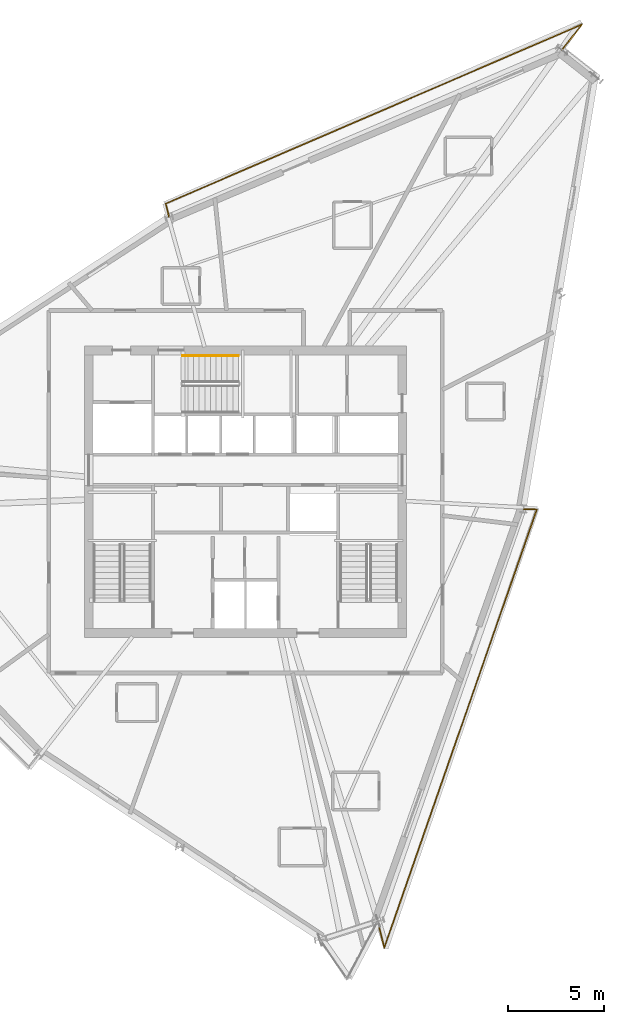
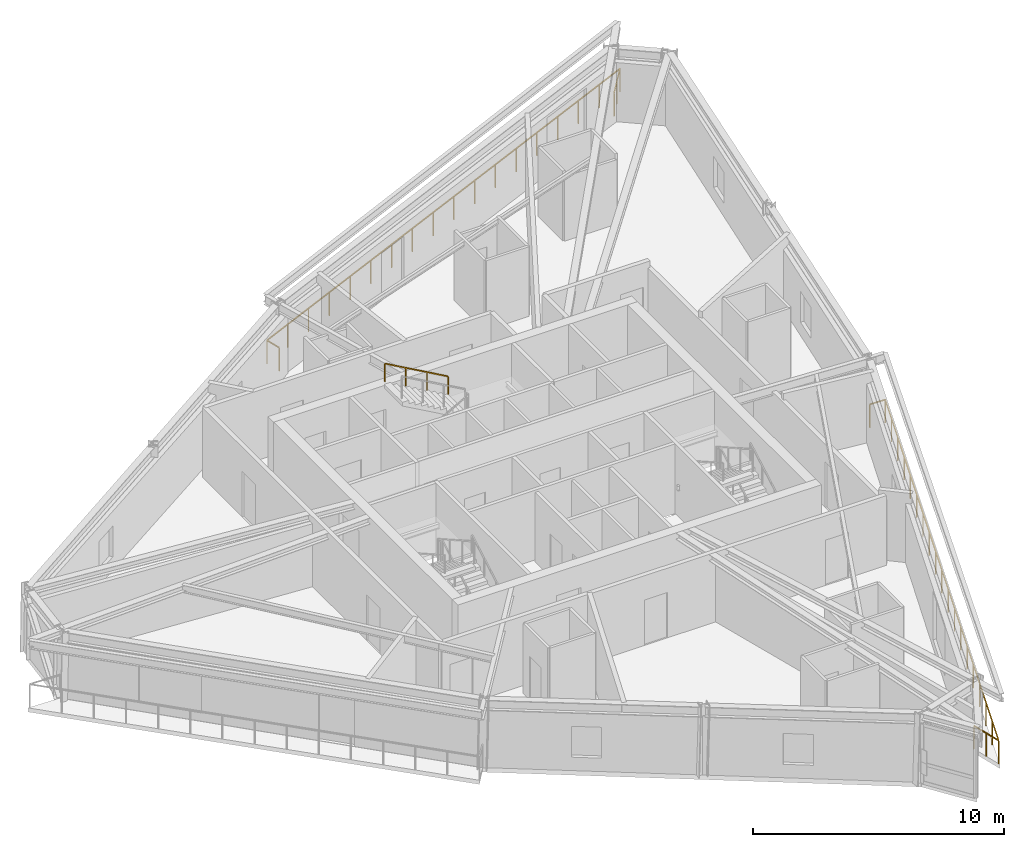
# One storey, part 13 of 13: 3 railings.
"""IFC4 building model written with IfcOpenShell, lengths in metres."""

from ifc_helpers import new_model, si_unit, direction, frame, origin, origin_2d, place, context, subcontext, project, spatial, rectangle, extrude, material, type_object, element, save


model = new_model("IFC4")

# Units and contexts
model_context = context("Model", 3, precision=1e-05, world=origin(), true_north=direction((0.0, 1.0)))
body_context = subcontext(model_context, "Body", "Model", "MODEL_VIEW")
ifc_project = project(units=[si_unit("LENGTHUNIT", "METRE"), si_unit("AREAUNIT", "SQUARE_METRE"), si_unit("VOLUMEUNIT", "CUBIC_METRE"), si_unit("PLANEANGLEUNIT", "RADIAN"), si_unit("MASSUNIT", "GRAM", prefix="KILO")], contexts=[model_context])

# Site, building, storey
site_placement = place(None, origin())
site = spatial("IfcSite", under=ifc_project, at=site_placement, CompositionType="ELEMENT")
building_placement = place(site_placement, origin())
building = spatial("IfcBuilding", under=site, at=building_placement, Name="Olszyna Solenne Hotel", CompositionType="ELEMENT")
storey_placement = place(building_placement, frame((0.0, 0.0, 248.89990234375)))
storey = spatial("IfcBuildingStorey", under=building, at=storey_placement, Name="L66", CompositionType="ELEMENT", Elevation=248.89990234375)

# Railings
ifc_material_1 = material(Name="Anodised bronze aluminium", Category="aluminium")
railing_type_1 = type_object("IfcRailingType", Name="GR-110", PredefinedType="BALUSTRADE", material=ifc_material_1)
railing_1_placement = place(storey_placement, frame((54.3994140625, 49.492919921875, 0.0)))
element("IfcRailing", 1, at=railing_1_placement, inside=storey, type_object=railing_type_1, Name="Loggia balcony balustrade guard GR-L66-LG1", PredefinedType="BALUSTRADE", context=body_context, shape_type="SweptSolid", body=[
    extrude(rectangle(XDim=0.048095703125, YDim=0.048095703125, at=origin_2d()), frame((0.0, 0.0, 1.1259765625), z_axis=(0.616016405299, 0.787733323151, 0.0), x_axis=(-0.787733323151, 0.616016405299, 0.0)), (0.0, 0.0, 1.0), 1.69189453125),
    extrude(rectangle(XDim=0.048095703125, YDim=0.048095703125, at=origin_2d()), frame((1.042236328125, 1.332763671875, 1.1259765625), z_axis=(-0.91843986169, -0.395560640685, 0.0), x_axis=(0.395560640685, -0.91843986169, 0.0)), (0.0, 0.0, 1.0), 23.489990234375),
    extrude(rectangle(XDim=0.048095703125, YDim=0.048095703125, at=origin_2d()), frame((-20.531982421875, -7.958984375, 1.1259765625), z_axis=(0.237185993525, -0.971464257951, 0.0), x_axis=(0.971464257951, 0.237185993525, 0.0)), (0.0, 0.0, 1.0), 0.709228515625),
    extrude(rectangle(XDim=0.0419921875, YDim=0.0419921875, at=origin_2d()), origin(), (0.0, 0.0, 1.0), 1.101806640625),
    extrude(rectangle(XDim=0.0419921875, YDim=0.0419921875, at=origin_2d()), frame((0.52099609375, 0.66650390625, 0.0)), (0.0, 0.0, 1.0), 1.101806640625),
    extrude(rectangle(XDim=0.0419921875, YDim=0.0419921875, at=origin_2d()), frame((1.042236328125, 1.332763671875, 0.0)), (0.0, 0.0, 1.0), 1.101806640625),
    extrude(rectangle(XDim=0.0419921875, YDim=0.0419921875, at=origin_2d()), frame((-0.226806640625, 0.7861328125, 0.0)), (0.0, 0.0, 1.0), 1.101806640625),
    extrude(rectangle(XDim=0.0419921875, YDim=0.0419921875, at=origin_2d()), frame((-1.495849609375, 0.239501953125, 0.0)), (0.0, 0.0, 1.0), 1.101806640625),
    extrude(rectangle(XDim=0.0419921875, YDim=0.0419921875, at=origin_2d()), frame((-2.764892578125, -0.306884765625, 0.0)), (0.0, 0.0, 1.0), 1.101806640625),
    extrude(rectangle(XDim=0.0419921875, YDim=0.0419921875, at=origin_2d()), frame((-4.033935546875, -0.853515625, 0.0)), (0.0, 0.0, 1.0), 1.101806640625),
    extrude(rectangle(XDim=0.0419921875, YDim=0.0419921875, at=origin_2d()), frame((-5.30322265625, -1.400146484375, 0.0)), (0.0, 0.0, 1.0), 1.101806640625),
    extrude(rectangle(XDim=0.0419921875, YDim=0.0419921875, at=origin_2d()), frame((-6.572265625, -1.94677734375, 0.0)), (0.0, 0.0, 1.0), 1.101806640625),
    extrude(rectangle(XDim=0.0419921875, YDim=0.0419921875, at=origin_2d()), frame((-7.84130859375, -2.4931640625, 0.0)), (0.0, 0.0, 1.0), 1.101806640625),
    extrude(rectangle(XDim=0.0419921875, YDim=0.0419921875, at=origin_2d()), frame((-9.1103515625, -3.039794921875, 0.0)), (0.0, 0.0, 1.0), 1.101806640625),
    extrude(rectangle(XDim=0.0419921875, YDim=0.0419921875, at=origin_2d()), frame((-10.37939453125, -3.58642578125, 0.0)), (0.0, 0.0, 1.0), 1.101806640625),
    extrude(rectangle(XDim=0.0419921875, YDim=0.0419921875, at=origin_2d()), frame((-11.6484375, -4.133056640625, 0.0)), (0.0, 0.0, 1.0), 1.101806640625),
    extrude(rectangle(XDim=0.0419921875, YDim=0.0419921875, at=origin_2d()), frame((-12.91748046875, -4.679443359375, 0.0)), (0.0, 0.0, 1.0), 1.101806640625),
    extrude(rectangle(XDim=0.0419921875, YDim=0.0419921875, at=origin_2d()), frame((-14.1865234375, -5.22607421875, 0.0)), (0.0, 0.0, 1.0), 1.101806640625),
    extrude(rectangle(XDim=0.0419921875, YDim=0.0419921875, at=origin_2d()), frame((-15.455810546875, -5.772705078125, 0.0)), (0.0, 0.0, 1.0), 1.101806640625),
    extrude(rectangle(XDim=0.0419921875, YDim=0.0419921875, at=origin_2d()), frame((-16.724853515625, -6.3193359375, 0.0)), (0.0, 0.0, 1.0), 1.101806640625),
    extrude(rectangle(XDim=0.0419921875, YDim=0.0419921875, at=origin_2d()), frame((-17.993896484375, -6.86572265625, 0.0)), (0.0, 0.0, 1.0), 1.101806640625),
    extrude(rectangle(XDim=0.0419921875, YDim=0.0419921875, at=origin_2d()), frame((-19.262939453125, -7.412353515625, 0.0)), (0.0, 0.0, 1.0), 1.101806640625),
    extrude(rectangle(XDim=0.0419921875, YDim=0.0419921875, at=origin_2d()), frame((-20.531982421875, -7.958984375, 0.0)), (0.0, 0.0, 1.0), 1.101806640625),
    extrude(rectangle(XDim=0.0419921875, YDim=0.0419921875, at=origin_2d()), frame((-20.36376953125, -8.64794921875, 0.0)), (0.0, 0.0, 1.0), 1.101806640625),
])
railing_2_placement = place(storey_placement, frame((44.855712890625, 4.3349609375, 0.0)))
element("IfcRailing", 2, at=railing_2_placement, inside=storey, type_object=railing_type_1, Name="Loggia balcony balustrade guard GR-L66-LG3", PredefinedType="BALUSTRADE", context=body_context, shape_type="SweptSolid", body=[
    extrude(rectangle(XDim=0.048095703125, YDim=0.048095703125, at=origin_2d()), frame((0.0, 0.0, 1.1259765625), z_axis=(0.236983913481, -0.971513574147, 0.0), x_axis=(0.971513574147, 0.236983913481, 0.0)), (0.0, 0.0, 1.0), 1.418701171875),
    extrude(rectangle(XDim=0.048095703125, YDim=0.048095703125, at=origin_2d()), frame((0.336181640625, -1.378173828125, 1.1259765625), z_axis=(0.328739446881, 0.94442065631, 0.0), x_axis=(-0.94442065631, 0.328739446881, 0.0)), (0.0, 0.0, 1.0), 24.05908203125),
    extrude(rectangle(XDim=0.048095703125, YDim=0.048095703125, at=origin_2d()), frame((8.245361328125, 21.34375, 1.1259765625), z_axis=(-0.999457798368, 0.032925814824, 0.0), x_axis=(-0.032925814824, -0.999457798368, 0.0)), (0.0, 0.0, 1.0), 0.689697265625),
    extrude(rectangle(XDim=0.0419921875, YDim=0.0419921875, at=origin_2d()), origin(), (0.0, 0.0, 1.0), 1.101806640625),
    extrude(rectangle(XDim=0.0419921875, YDim=0.0419921875, at=origin_2d()), frame((0.16796875, -0.68896484375, 0.0)), (0.0, 0.0, 1.0), 1.101806640625),
    extrude(rectangle(XDim=0.0419921875, YDim=0.0419921875, at=origin_2d()), frame((0.336181640625, -1.378173828125, 0.0)), (0.0, 0.0, 1.0), 1.101806640625),
    extrude(rectangle(XDim=0.0419921875, YDim=0.0419921875, at=origin_2d()), frame((0.775634765625, -0.11572265625, 0.0)), (0.0, 0.0, 1.0), 1.101806640625),
    extrude(rectangle(XDim=0.0419921875, YDim=0.0419921875, at=origin_2d()), frame((1.215087890625, 1.146484375, 0.0)), (0.0, 0.0, 1.0), 1.101806640625),
    extrude(rectangle(XDim=0.0419921875, YDim=0.0419921875, at=origin_2d()), frame((1.654296875, 2.40869140625, 0.0)), (0.0, 0.0, 1.0), 1.101806640625),
    extrude(rectangle(XDim=0.0419921875, YDim=0.0419921875, at=origin_2d()), frame((2.09375, 3.671142578125, 0.0)), (0.0, 0.0, 1.0), 1.101806640625),
    extrude(rectangle(XDim=0.0419921875, YDim=0.0419921875, at=origin_2d()), frame((2.533203125, 4.93359375, 0.0)), (0.0, 0.0, 1.0), 1.101806640625),
    extrude(rectangle(XDim=0.0419921875, YDim=0.0419921875, at=origin_2d()), frame((2.97265625, 6.19580078125, 0.0)), (0.0, 0.0, 1.0), 1.101806640625),
    extrude(rectangle(XDim=0.0419921875, YDim=0.0419921875, at=origin_2d()), frame((3.411865234375, 7.4580078125, 0.0)), (0.0, 0.0, 1.0), 1.101806640625),
    extrude(rectangle(XDim=0.0419921875, YDim=0.0419921875, at=origin_2d()), frame((3.851318359375, 8.720458984375, 0.0)), (0.0, 0.0, 1.0), 1.101806640625),
    extrude(rectangle(XDim=0.0419921875, YDim=0.0419921875, at=origin_2d()), frame((4.290771484375, 9.98291015625, 0.0)), (0.0, 0.0, 1.0), 1.101806640625),
    extrude(rectangle(XDim=0.0419921875, YDim=0.0419921875, at=origin_2d()), frame((4.730224609375, 11.2451171875, 0.0)), (0.0, 0.0, 1.0), 1.101806640625),
    extrude(rectangle(XDim=0.0419921875, YDim=0.0419921875, at=origin_2d()), frame((5.169677734375, 12.507568359375, 0.0)), (0.0, 0.0, 1.0), 1.101806640625),
    extrude(rectangle(XDim=0.0419921875, YDim=0.0419921875, at=origin_2d()), frame((5.60888671875, 13.769775390625, 0.0)), (0.0, 0.0, 1.0), 1.101806640625),
    extrude(rectangle(XDim=0.0419921875, YDim=0.0419921875, at=origin_2d()), frame((6.04833984375, 15.0322265625, 0.0)), (0.0, 0.0, 1.0), 1.101806640625),
    extrude(rectangle(XDim=0.0419921875, YDim=0.0419921875, at=origin_2d()), frame((6.48779296875, 16.29443359375, 0.0)), (0.0, 0.0, 1.0), 1.101806640625),
    extrude(rectangle(XDim=0.0419921875, YDim=0.0419921875, at=origin_2d()), frame((6.92724609375, 17.556640625, 0.0)), (0.0, 0.0, 1.0), 1.101806640625),
    extrude(rectangle(XDim=0.0419921875, YDim=0.0419921875, at=origin_2d()), frame((7.366455078125, 18.819091796875, 0.0)), (0.0, 0.0, 1.0), 1.101806640625),
    extrude(rectangle(XDim=0.0419921875, YDim=0.0419921875, at=origin_2d()), frame((7.805908203125, 20.08154296875, 0.0)), (0.0, 0.0, 1.0), 1.101806640625),
    extrude(rectangle(XDim=0.0419921875, YDim=0.0419921875, at=origin_2d()), frame((8.245361328125, 21.34375, 0.0)), (0.0, 0.0, 1.0), 1.101806640625),
    extrude(rectangle(XDim=0.0419921875, YDim=0.0419921875, at=origin_2d()), frame((7.55615234375, 21.366455078125, 0.0)), (0.0, 0.0, 1.0), 1.101806640625),
])
ifc_material_2 = material(Name="Steel S355J2", Category="steel")
railing_type_2 = type_object("IfcRailingType", Name="HR-090", PredefinedType="HANDRAIL", material=ifc_material_2)
railing_3_placement = place(storey_placement, frame((37.6298828125, 33.64990234375, 1.963623046875)))
element("IfcRailing", 3, at=railing_3_placement, inside=storey, type_object=railing_type_2, Name="L66 ST3 stair handrail 2", PredefinedType="HANDRAIL", context=body_context, shape_type="SweptSolid", body=[
    extrude(rectangle(XDim=0.048095703125, YDim=0.048095703125, at=origin_2d()), frame((0.0, 0.0, 0.8759765625), z_axis=(-0.870897200241, 0.0, 0.491465224214), x_axis=(0.0, -1.0, 0.0)), (0.0, 0.0, 1.0), 3.329833984375),
    extrude(rectangle(XDim=0.0419921875, YDim=0.0419921875, at=origin_2d()), origin(), (0.0, 0.0, 1.0), 0.851806640625),
    extrude(rectangle(XDim=0.0419921875, YDim=0.0419921875, at=origin_2d()), frame((-0.966552734375, 0.0, 0.54541015625)), (0.0, 0.0, 1.0), 0.851806640625),
    extrude(rectangle(XDim=0.0419921875, YDim=0.0419921875, at=origin_2d()), frame((-1.933349609375, 0.0, 1.091064453125)), (0.0, 0.0, 1.0), 0.851806640625),
    extrude(rectangle(XDim=0.0419921875, YDim=0.0419921875, at=origin_2d()), frame((-2.89990234375, 0.0, 1.636474609375)), (0.0, 0.0, 1.0), 0.851806640625),
])

save(model, "model.ifc")
